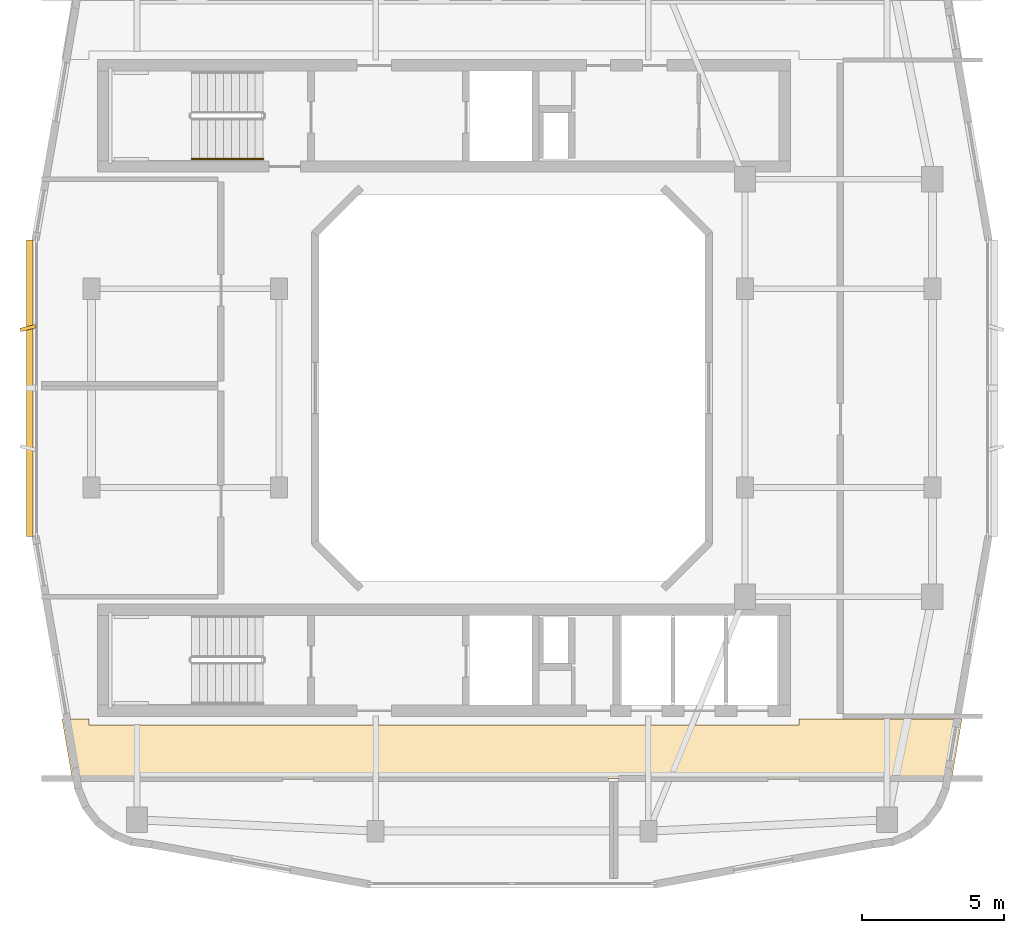
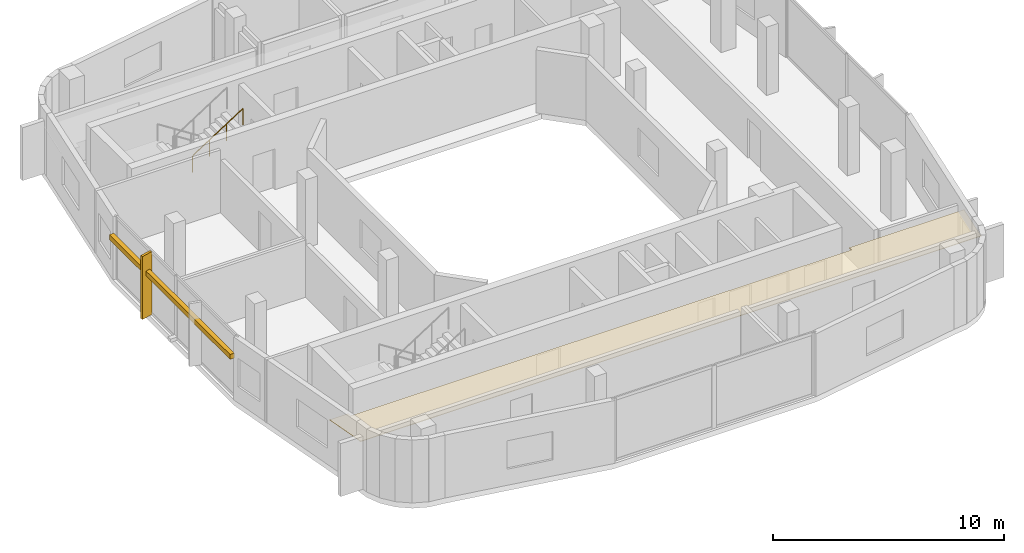
# One storey, part 8 of 10: 2 shading devices, 1 covering, 1 railing.
"""IFC4 building model written with IfcOpenShell, lengths in metres."""

from ifc_helpers import new_model, si_unit, derived_unit, direction, frame, origin, origin_2d, place, context, subcontext, project, spatial, polyline, rectangle, circle, outline, extrude, material, layer, layer_set, type_object, element, save


model = new_model("IFC4")

# Units and contexts
model_context = context("Model", 3, precision=1e-05, world=origin(), true_north=direction((0.0, 1.0)))
body_context = subcontext(model_context, "Body", "Model", "MODEL_VIEW")
ifc_project = project(units=[si_unit("LENGTHUNIT", "METRE"), si_unit("AREAUNIT", "SQUARE_METRE"), si_unit("VOLUMEUNIT", "CUBIC_METRE"), si_unit("PLANEANGLEUNIT", "RADIAN"), si_unit("MASSUNIT", "GRAM", prefix="KILO"), derived_unit("THERMALTRANSMITTANCEUNIT", [(si_unit("POWERUNIT", "WATT"), 1), (si_unit("LENGTHUNIT", "METRE"), -2), (si_unit("THERMODYNAMICTEMPERATUREUNIT", "KELVIN"), -1)])], contexts=[model_context])

# Site, building, storey
site_placement = place(None, origin())
site = spatial("IfcSite", under=ifc_project, at=site_placement, CompositionType="ELEMENT")
building_placement = place(site_placement, origin())
building = spatial("IfcBuilding", under=site, at=building_placement, Name="Kivonza Crest Hotel", CompositionType="ELEMENT")
storey_placement = place(building_placement, frame((0.0, 0.0, 264.800048828125)))
storey = spatial("IfcBuildingStorey", under=building, at=storey_placement, Name="L72", CompositionType="ELEMENT", Elevation=264.800048828125)

# Covering
ifc_material_1 = material(Name="Moisture-resistant gypsum plasterboard ceiling", Category="gypsum")
ifc_layer = layer(ifc_material_1, 0.030029296875)
ifc_layer_set = layer_set([ifc_layer], Name="Moisture-resistant gypsum plasterboard ceiling")
covering_type = type_object("IfcCoveringType", Name="CV-CEIL-GYP", PredefinedType="CEILING", material=ifc_layer_set)
covering_placement = place(storey_placement, frame((0.0, 0.0, 2.449951171875)))
element("IfcCovering", 1, at=covering_placement, inside=storey, type_object=covering_type, Name="L72 L72 Crown South and East Promenade suspended ceiling", PredefinedType="CEILING", context=body_context, shape_type="SweptSolid", body=[
    extrude(outline(polyline([(36.5400390625, 11.593994140625), (36.840087890625, 13.340087890625), (31.10009765625, 13.340087890625), (31.10009765625, 13.139892578125), (6.10009765625, 13.139892578125), (6.10009765625, 13.340087890625), (5.159912109375, 13.340087890625), (5.4599609375, 11.593994140625), (5.50390625, 11.260009765625), (36.49609375, 11.260009765625), (36.5400390625, 11.593994140625)])), origin(), (0.0, 0.0, 1.0), 0.030029296875),
])

# Railing
ifc_material_2 = material(Name="Brushed stainless steel handrail", Category="steel")
railing_type = type_object("IfcRailingType", Name="RL-HAND-900", PredefinedType="HANDRAIL", material=ifc_material_2)
railing_placement = place(storey_placement, frame((9.719970703125, 33.070068359375, 1.97998046875)))
element("IfcRailing", 2, at=railing_placement, inside=storey, type_object=railing_type, Name="L72 ST-T1-N stair handrail 2", PredefinedType="HANDRAIL", context=body_context, shape_type="SweptSolid", body=[
    extrude(circle(Radius=0.02392578125, at=origin_2d()), frame((0.0, 0.0, 0.8759765625), z_axis=(0.841199657755, 0.0, 0.540724639528), x_axis=(0.0, 1.0, 0.0)), (0.0, 0.0, 1.0), 2.995849609375),
    extrude(circle(Radius=0.02099609375, at=origin_2d()), origin(), (0.0, 0.0, 1.0), 0.851806640625),
    extrude(circle(Radius=0.02099609375, at=origin_2d()), frame((0.840087890625, 0.0, 0.5400390625)), (0.0, 0.0, 1.0), 0.851806640625),
    extrude(circle(Radius=0.02099609375, at=origin_2d()), frame((1.679931640625, 0.0, 1.079833984375)), (0.0, 0.0, 1.0), 0.851806640625),
    extrude(circle(Radius=0.02099609375, at=origin_2d()), frame((2.52001953125, 0.0, 1.619873046875)), (0.0, 0.0, 1.0), 0.851806640625),
])

# Shading devices
ifc_material_3 = material(Name="Kiln-fired Nairobi red-ochre terracotta", Category="masonry")
shading_device_type_1 = type_object("IfcShadingDeviceType", Name="SH-BAGUETTE-300", PredefinedType="USERDEFINED", material=ifc_material_3)
shading_device_1_placement = place(storey_placement, frame((4.02001953125, 25.0, 2.19384765625), z_axis=(0.0, 0.0, 1.0), x_axis=(0.0, -1.0, 0.0)))
element("IfcShadingDevice", 3, at=shading_device_1_placement, inside=storey, type_object=shading_device_type_1, Name="L72 terracotta baguette screen CW-T1-L72-35", ObjectType="BAGUETTE", PredefinedType="USERDEFINED", context=body_context, shape_type="SweptSolid", body=[
    extrude(rectangle(XDim=10.43994140625, YDim=0.219970703125, at=origin_2d()), origin(), (0.0, 0.0, 1.0), 0.260009765625),
])
ifc_material_4 = material(Name="Kiln-fired terracotta over extruded aluminium spine", Category="masonry")
shading_device_type_2 = type_object("IfcShadingDeviceType", Name="SH-FIN-550", PredefinedType="USERDEFINED", material=ifc_material_4)
shading_device_2_placement = place(storey_placement, frame((3.9599609375, 27.112060546875, 0.0), z_axis=(0.0, 0.0, 1.0), x_axis=(0.2419218956, -0.970295726276, 0.0)))
element("IfcShadingDevice", 4, at=shading_device_2_placement, inside=storey, type_object=shading_device_type_2, Name="L72 vertical solar shading fin CW-T1-L72-35-1", ObjectType="FIN", PredefinedType="USERDEFINED", context=body_context, shape_type="SweptSolid", body=[
    extrude(rectangle(XDim=0.1201171875, YDim=0.550048828125, at=origin_2d()), origin(), (0.0, 0.0, 1.0), 3.320068359375),
])

save(model, "model.ifc")
